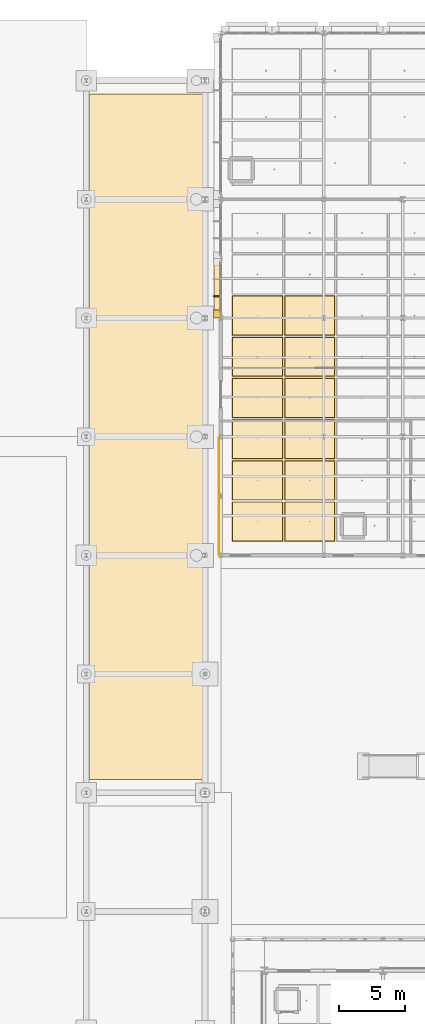
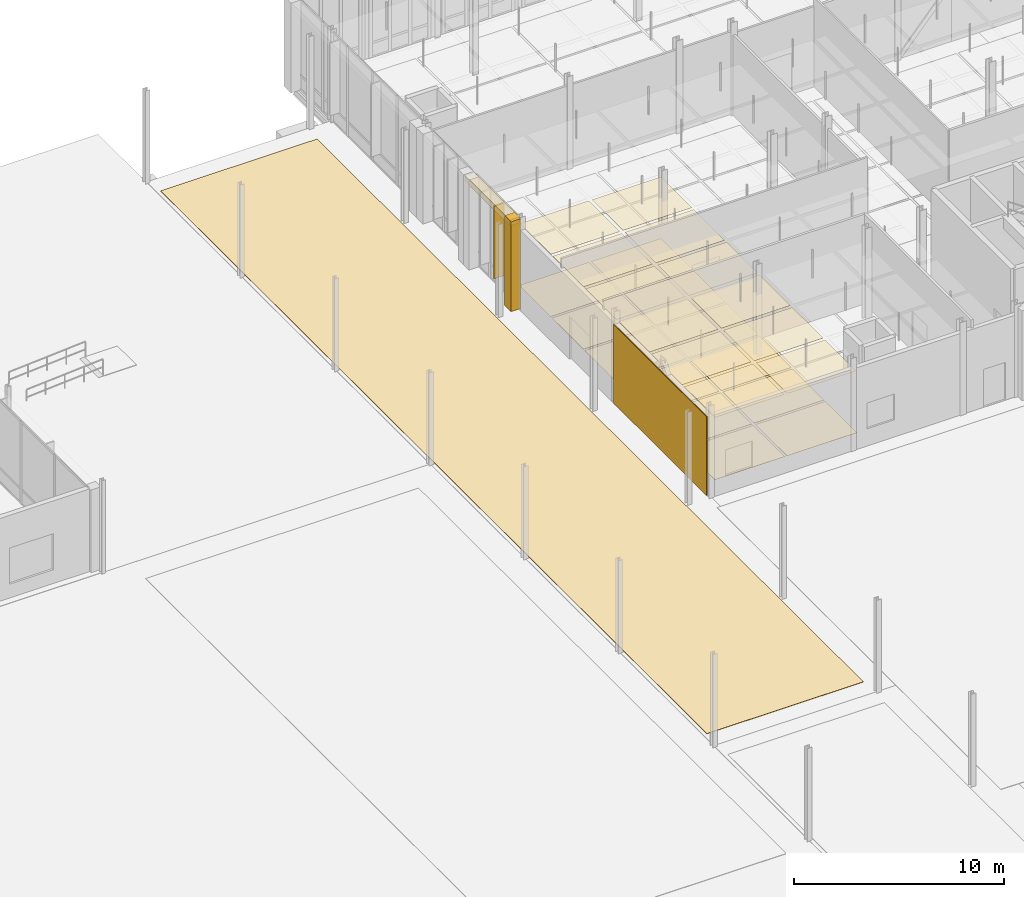
# One storey, part 170 of 180: 28 coverings, 1 shading device.
"""IFC4 building model written with IfcOpenShell, lengths in metres."""

from ifc_helpers import new_model, si_unit, direction, frame, origin, origin_2d, place, context, subcontext, project, spatial, rectangle, extrude, material, layer, layer_set, type_object, element, save


model = new_model("IFC4")

# Units and contexts
model_context = context("Model", 3, precision=1e-05, world=origin(), true_north=direction((0.0, 1.0)))
body_context = subcontext(model_context, "Body", "Model", "MODEL_VIEW")
ifc_project = project(units=[si_unit("LENGTHUNIT", "METRE"), si_unit("AREAUNIT", "SQUARE_METRE"), si_unit("VOLUMEUNIT", "CUBIC_METRE"), si_unit("PLANEANGLEUNIT", "RADIAN"), si_unit("MASSUNIT", "GRAM", prefix="KILO"), si_unit("THERMODYNAMICTEMPERATUREUNIT", "KELVIN"), si_unit("POWERUNIT", "WATT")], contexts=[model_context])

# Site, building, storey
site_placement = place(None, origin())
site = spatial("IfcSite", under=ifc_project, at=site_placement, CompositionType="ELEMENT")
building_placement = place(site_placement, origin())
building = spatial("IfcBuilding", under=site, at=building_placement, Name="Tallowbark Science Centre", CompositionType="ELEMENT")
storey_placement = place(building_placement, origin())
storey = spatial("IfcBuildingStorey", under=building, at=storey_placement, Name="L00", CompositionType="ELEMENT", Elevation=0.0)

# Coverings
ifc_material_1 = material(Name="Cleanable Vinyl-Faced Laboratory Ceiling Tile")
ifc_layer_1 = layer(ifc_material_1, 0.01611328125)
ifc_layer_set_1 = layer_set([ifc_layer_1], Name="Cleanable Vinyl-Faced Laboratory Ceiling Tile")
covering_type_1 = type_object("IfcCoveringType", Name="CLG-LAB-16", PredefinedType="CEILING", material=ifc_layer_set_1)
for number, where, z_axis, x_axis, name in (
    (1, (57.982177734375, 74.5625, 3.592041015625), (0.0, 0.0, 1.0), (1.0, 0.0, 0.0), "Suspended Ceiling L00-297"),
    (2, (57.982177734375, 77.6875, 3.592041015625), (0.0, 0.0, 1.0), (1.0, 0.0, 0.0), "Suspended Ceiling L00-298"),
    (3, (57.982177734375, 80.8125, 3.592041015625), (0.0, 0.0, 1.0), (1.0, 0.0, 0.0), "Suspended Ceiling L00-299"),
    (4, (57.982177734375, 83.9375, 3.592041015625), (0.0, 0.0, 1.0), (1.0, 0.0, 0.0), "Suspended Ceiling L00-300"),
    (5, (57.982177734375, 87.0625, 3.592041015625), (0.0, 0.0, 1.0), (1.0, 0.0, 0.0), "Suspended Ceiling L00-301"),
    (6, (57.982177734375, 90.1875, 3.592041015625), (0.0, 0.0, 1.0), (1.0, 0.0, 0.0), "Suspended Ceiling L00-302"),
    (7, (61.9462890625, 74.5625, 3.592041015625), (0.0, 0.0, 1.0), (1.0, 0.0, 0.0), "Suspended Ceiling L00-305"),
    (8, (61.9462890625, 77.6875, 3.592041015625), (0.0, 0.0, 1.0), (1.0, 0.0, 0.0), "Suspended Ceiling L00-306"),
    (9, (61.9462890625, 80.8125, 3.592041015625), (0.0, 0.0, 1.0), (1.0, 0.0, 0.0), "Suspended Ceiling L00-307"),
    (10, (61.9462890625, 83.9375, 3.592041015625), (0.0, 0.0, 1.0), (1.0, 0.0, 0.0), "Suspended Ceiling L00-308"),
    (11, (61.9462890625, 87.0625, 3.592041015625), (0.0, 0.0, 1.0), (1.0, 0.0, 0.0), "Suspended Ceiling L00-309"),
    (12, (61.9462890625, 90.1875, 3.592041015625), (0.0, 0.0, 1.0), (1.0, 0.0, 0.0), "Suspended Ceiling L00-310"),
):
    element("IfcCovering", number, at=place(storey_placement, frame(where, z_axis=z_axis, x_axis=x_axis)), inside=storey, type_object=covering_type_1, Name=name, PredefinedType="CEILING", context=body_context, shape_type="SweptSolid", body=[
        extrude(rectangle(XDim=3.7841796875, YDim=2.945068359375, at=origin_2d()), origin(), (0.0, 0.0, 1.0), 0.01611328125),
    ])
ifc_material_2 = material(Name="White Architectural Precast Concrete Grade N40 (40 MPa)", Category="concrete")
ifc_layer_2 = layer(ifc_material_2, 0.1201171875)
ifc_layer_set_2 = layer_set([ifc_layer_2], Name="White Architectural Precast Concrete Grade N40 (40 MPa)")
covering_type_2 = type_object("IfcCoveringType", Name="COV-PRC-CLAD", PredefinedType="CLADDING", material=ifc_layer_set_2)
covering_1_placement = place(storey_placement, frame((54.919921875, 90.304931640625, 0.0), z_axis=(0.0, 0.0, 1.0), x_axis=(0.0, -1.0, 0.0)))
element("IfcCovering", 13, at=covering_1_placement, inside=storey, type_object=covering_type_2, Name="Postmodern Deep Precast Pier CW-L00-029-2", PredefinedType="CLADDING", context=body_context, shape_type="SweptSolid", body=[
    extrude(rectangle(XDim=0.610107421875, YDim=0.56005859375, at=origin_2d()), origin(), (0.0, 0.0, 1.0), 5.219970703125),
])
ifc_material_3 = material(Name="Honed Hawkesbury Sandstone Civic Paving", Category="masonry")
ifc_layer_3 = layer(ifc_material_3, 0.0400390625)
ifc_layer_set_3 = layer_set([ifc_layer_3], Name="Honed Hawkesbury Sandstone Civic Paving")
covering_type_3 = type_object("IfcCoveringType", Name="COV-STN-PAV", PredefinedType="FLOORING", material=ifc_layer_set_3)
covering_2_placement = place(storey_placement, frame((49.5, 81.0, 0.0), z_axis=(0.0, 0.0, 1.0), x_axis=(1.0, 0.0, 0.0)))
element("IfcCovering", 14, at=covering_2_placement, inside=storey, type_object=covering_type_3, Name="Hawkesbury Sandstone Paving PAV-PASSAGE-N", PredefinedType="FLOORING", context=body_context, shape_type="SweptSolid", body=[
    extrude(rectangle(XDim=8.60009765625, YDim=52.0, at=origin_2d()), origin(), (0.0, 0.0, 1.0), 0.02001953125),
])
ifc_material_4 = material(Name="Vitrified Ochre Terracotta Architectural Rainscreen", Category="masonry")
ifc_layer_4 = layer(ifc_material_4, 0.0380859375)
ifc_layer_set_4 = layer_set([ifc_layer_4], Name="Vitrified Ochre Terracotta Architectural Rainscreen")
covering_type_4 = type_object("IfcCoveringType", Name="COV-TER-CLAD", PredefinedType="CLADDING", material=ifc_layer_set_4)
covering_3_placement = place(storey_placement, frame((55.055908203125, 76.5, 0.050048828125), z_axis=(0.0, 0.0, 1.0), x_axis=(0.0, -1.0, 0.0)))
element("IfcCovering", 15, at=covering_3_placement, inside=storey, type_object=covering_type_4, Name="Architectural Rainscreen LAB-W-L00-72", PredefinedType="CLADDING", context=body_context, shape_type="SweptSolid", body=[
    extrude(rectangle(XDim=8.8798828125, YDim=0.0380859375, at=origin_2d()), origin(), (0.0, 0.0, 1.0), 4.57177734375),
])
covering_4_placement = place(storey_placement, frame((54.93994140625, 92.300048828125, 4.8701171875), z_axis=(0.0, 0.0, 1.0), x_axis=(0.0, -1.0, 0.0)))
element("IfcCovering", 16, at=covering_4_placement, inside=storey, type_object=covering_type_4, Name="Postmodern Terracotta Cornice Band CW-L00-029", PredefinedType="CLADDING", context=body_context, shape_type="SweptSolid", body=[
    extrude(rectangle(XDim=4.300048828125, YDim=0.52001953125, at=origin_2d()), origin(), (0.0, 0.0, 1.0), 0.340087890625),
])
ifc_material_5 = material(Name="Chemical-Resistant Seamless Laboratory Vinyl")
ifc_layer_5 = layer(ifc_material_5, 0.011962890625)
ifc_layer_set_5 = layer_set([ifc_layer_5], Name="Chemical-Resistant Seamless Laboratory Vinyl")
covering_type_5 = type_object("IfcCoveringType", Name="FLR-VIN-12", PredefinedType="FLOORING", material=ifc_layer_set_5)
for number, where, z_axis, x_axis, name in (
    (17, (57.982177734375, 74.5625, 0.0), (0.0, 0.0, 1.0), (1.0, 0.0, 0.0), "Floor Finish L00-297"),
    (18, (57.982177734375, 77.6875, 0.0), (0.0, 0.0, 1.0), (1.0, 0.0, 0.0), "Floor Finish L00-298"),
    (19, (57.982177734375, 80.8125, 0.0), (0.0, 0.0, 1.0), (1.0, 0.0, 0.0), "Floor Finish L00-299"),
    (20, (57.982177734375, 83.9375, 0.0), (0.0, 0.0, 1.0), (1.0, 0.0, 0.0), "Floor Finish L00-300"),
    (21, (57.982177734375, 87.0625, 0.0), (0.0, 0.0, 1.0), (1.0, 0.0, 0.0), "Floor Finish L00-301"),
    (22, (57.982177734375, 90.1875, 0.0), (0.0, 0.0, 1.0), (1.0, 0.0, 0.0), "Floor Finish L00-302"),
    (23, (61.9462890625, 74.5625, 0.0), (0.0, 0.0, 1.0), (1.0, 0.0, 0.0), "Floor Finish L00-305"),
    (24, (61.9462890625, 77.6875, 0.0), (0.0, 0.0, 1.0), (1.0, 0.0, 0.0), "Floor Finish L00-306"),
    (25, (61.9462890625, 80.8125, 0.0), (0.0, 0.0, 1.0), (1.0, 0.0, 0.0), "Floor Finish L00-307"),
    (26, (61.9462890625, 83.9375, 0.0), (0.0, 0.0, 1.0), (1.0, 0.0, 0.0), "Floor Finish L00-308"),
    (27, (61.9462890625, 87.0625, 0.0), (0.0, 0.0, 1.0), (1.0, 0.0, 0.0), "Floor Finish L00-309"),
    (28, (61.9462890625, 90.1875, 0.0), (0.0, 0.0, 1.0), (1.0, 0.0, 0.0), "Floor Finish L00-310"),
):
    element("IfcCovering", number, at=place(storey_placement, frame(where, z_axis=z_axis, x_axis=x_axis)), inside=storey, type_object=covering_type_5, Name=name, PredefinedType="FLOORING", context=body_context, shape_type="SweptSolid", body=[
        extrude(rectangle(XDim=3.84423828125, YDim=3.0048828125, at=origin_2d()), origin(), (0.0, 0.0, 1.0), 0.011962890625),
    ])

# Shading device
ifc_material_6 = material(Name="Sandstone-Finished Architectural Aluminium Solar Fin", Category="masonry")
shading_device_type = type_object("IfcShadingDeviceType", Name="SHD-FIN-400", PredefinedType="JALOUSIE", material=ifc_material_6)
shading_device_placement = place(storey_placement, frame((54.919921875, 91.64990234375, 0.9248046875), z_axis=(0.0, 0.0, 1.0), x_axis=(0.0, -1.0, 0.0)))
element("IfcShadingDevice", 29, at=shading_device_placement, inside=storey, type_object=shading_device_type, Name="Vertical Solar Fin CW-L00-029-2", PredefinedType="JALOUSIE", context=body_context, shape_type="SweptSolid", body=[
    extrude(rectangle(XDim=0.074951171875, YDim=0.550048828125, at=origin_2d()), origin(), (0.0, 0.0, 1.0), 4.219970703125),
])

save(model, "model.ifc")
